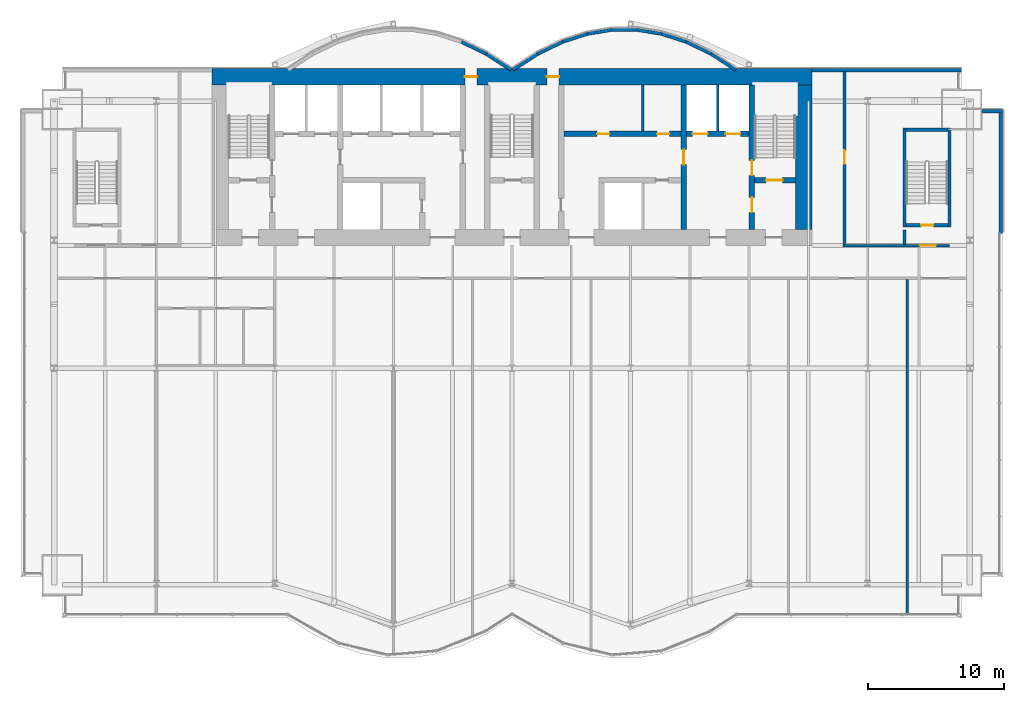
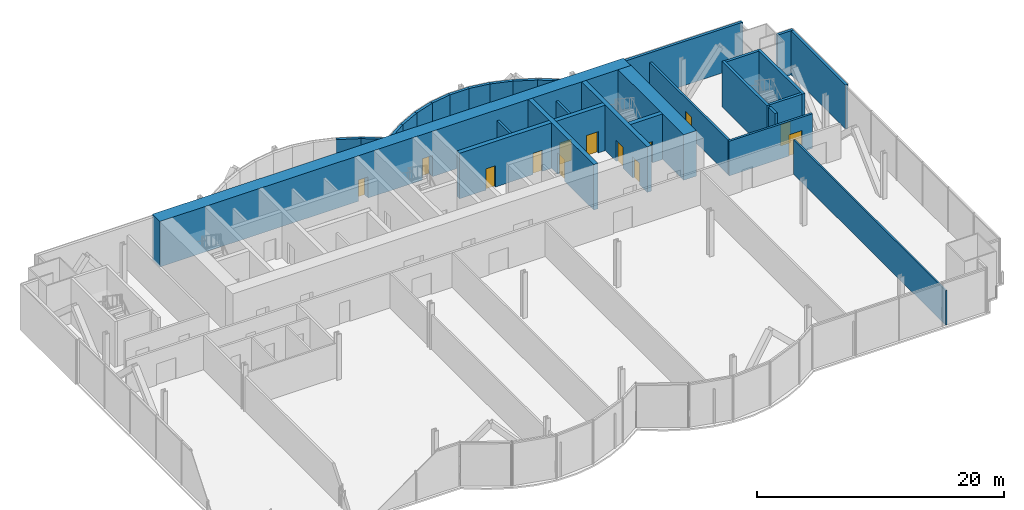
# One storey, part 17 of 21: 30 walls, 13 doors, 13 openings.
"""IFC4 building model written with IfcOpenShell, lengths in metres."""

from ifc_helpers import new_model, si_unit, direction, frame, frame_2d, origin, place, context, subcontext, project, spatial, rectangle, extrude, material, layer, layer_set, layer_usage, type_object, element, fill, save


model = new_model("IFC4")

# Units and contexts
model_context = context("Model", 3, precision=1e-05, world=origin(), true_north=direction((0.0, 1.0)))
body_context = subcontext(model_context, "Body", "Model", "MODEL_VIEW")
ifc_project = project(units=[si_unit("LENGTHUNIT", "METRE"), si_unit("AREAUNIT", "SQUARE_METRE"), si_unit("VOLUMEUNIT", "CUBIC_METRE"), si_unit("PLANEANGLEUNIT", "RADIAN"), si_unit("MASSUNIT", "GRAM", prefix="KILO")], contexts=[model_context])

# Site, building, storey
site_placement = place(None, origin())
site = spatial("IfcSite", under=ifc_project, at=site_placement, CompositionType="ELEMENT")
building_placement = place(site_placement, origin())
building = spatial("IfcBuilding", under=site, at=building_placement, Name="Bicima Exchange Tower", CompositionType="ELEMENT")
storey_placement = place(building_placement, frame((0.0, 0.0, 66.5)))
storey = spatial("IfcBuildingStorey", under=building, at=storey_placement, Name="L13", CompositionType="ELEMENT", Elevation=66.5)

# Wall
ifc_material_1 = material(Name="Gypsum board partition")
ifc_layer_1 = layer(ifc_material_1, 0.199951171875)
ifc_layer_set_1 = layer_set([ifc_layer_1], Name="Gypsum board partition")
wall_type_1 = type_object("IfcWallType", Name="Fire-rated gypsum partition 200 EI120", PredefinedType="PARTITIONING", material=ifc_layer_set_1)
wall_1_placement = place(storey_placement, frame((15.10009765625, -4.60009765625, 0.0), z_axis=(0.0, 0.0, 1.0), x_axis=(0.0, 1.0, 0.0)))
element("IfcWall", 1, at=wall_1_placement, inside=storey, type_object=wall_type_1, Name="partition wall 23", PredefinedType="PARTITIONING", context=body_context, shape_type="SweptSolid", body=[
    extrude(rectangle(XDim=3.400146484375, YDim=0.199951171875, at=frame_2d((1.7001953125, 0.0))), origin(), (0.0, 0.0, 1.0), 3.418212890625),
])

# Wall, opening, door
ifc_layer_2 = layer(ifc_material_1, 0.199951171875)
ifc_layer_set_2 = layer_set([ifc_layer_2], Name="Gypsum board partition")
wall_type_2 = type_object("IfcWallType", Name="Fire-rated gypsum partition 200 EI60", PredefinedType="PARTITIONING", material=ifc_layer_set_2)
wall_2_placement = place(storey_placement, frame((24.300048828125, -13.0, 0.0), z_axis=(0.0, 0.0, 1.0), x_axis=(1.0, 0.0, 0.0)))
wall_2 = element("IfcWall", 2, at=wall_2_placement, inside=storey, type_object=wall_type_2, Name="partition wall 5", PredefinedType="PARTITIONING", context=body_context, shape_type="SweptSolid", body=[
    extrude(rectangle(XDim=7.800048828125, YDim=0.199951171875, at=frame_2d((3.89990234375, 0.0))), origin(), (0.0, 0.0, 1.0), 3.418212890625),
])
opening_1_placement = place(wall_2_placement, frame((5.60009765625, 0.0, 0.0)))
opening_1 = element("IfcOpeningElement", 3, at=opening_1_placement, cuts=wall_2, Name="Opening L13-003", PredefinedType="OPENING", context=body_context, shape_type="SweptSolid", body=[
    extrude(rectangle(XDim=1.199951171875, YDim=2.10009765625, at=frame_2d((0.60009765625, 1.050048828125))), frame((0.0, 0.11181640625, 0.0), z_axis=(0.0, -1.0, 0.0), x_axis=(1.0, 0.0, 0.0)), (0.0, 0.0, 1.0), 0.223876953125),
])
ifc_material_2 = material(Name="Steel fire door leaf", Category="steel")
door_type_1 = type_object("IfcDoorType", Name="Door 1200 swing FD30S", OperationType="SINGLE_SWING_LEFT", PredefinedType="DOOR", material=ifc_material_2)
door_1_placement = place(opening_1_placement, origin())
door_1 = element("IfcDoor", 4, at=door_1_placement, inside=storey, type_object=door_type_1, Name="Door", OperationType="SINGLE_SWING_RIGHT", OverallHeight=2.10009765625, OverallWidth=1.199951171875, PredefinedType="DOOR", context=body_context, shape_type="SweptSolid", body=[
    extrude(rectangle(XDim=1.199951171875, YDim=2.10009765625, at=frame_2d((0.60009765625, 1.050048828125))), frame((0.0, 0.02490234375, 0.0), z_axis=(0.0, -1.0, 0.0), x_axis=(1.0, 0.0, 0.0)), (0.0, 0.0, 1.0), 0.050048828125),
])
fill(opening_1, door_1)

wall_3_placement = place(storey_placement, frame((24.39990234375, -12.89990234375, 0.0), z_axis=(0.0, 0.0, 1.0), x_axis=(0.0, 1.0, 0.0)))
wall_3 = element("IfcWall", 5, at=wall_3_placement, inside=storey, type_object=wall_type_2, Name="partition wall 24", PredefinedType="PARTITIONING", context=body_context, shape_type="SweptSolid", body=[
    extrude(rectangle(XDim=12.68994140625, YDim=0.199951171875, at=frame_2d((6.344970703125, 0.0))), origin(), (0.0, 0.0, 1.0), 3.418212890625),
])
opening_2_placement = place(wall_3_placement, frame((5.89990234375, 0.0, 0.0)))
opening_2 = element("IfcOpeningElement", 6, at=opening_2_placement, cuts=wall_3, Name="Opening L13-006", PredefinedType="OPENING", context=body_context, shape_type="SweptSolid", body=[
    extrude(rectangle(XDim=1.0, YDim=2.10009765625, at=frame_2d((0.5, 1.050048828125))), frame((0.0, 0.11181640625, 0.0), z_axis=(0.0, -1.0, 0.0), x_axis=(1.0, 0.0, 0.0)), (0.0, 0.0, 1.0), 0.223876953125),
])
door_type_2 = type_object("IfcDoorType", Name="Door 1000 swing FD30S", OperationType="SINGLE_SWING_LEFT", PredefinedType="DOOR", material=ifc_material_2)
door_2_placement = place(opening_2_placement, frame((1.0, 0.0, 0.0), z_axis=(0.0, 0.0, 1.0), x_axis=(-1.0, 0.0, 0.0)))
door_2 = element("IfcDoor", 7, at=door_2_placement, inside=storey, type_object=door_type_2, Name="Door", OperationType="SINGLE_SWING_RIGHT", OverallHeight=2.10009765625, OverallWidth=1.0, PredefinedType="DOOR", context=body_context, shape_type="SweptSolid", body=[
    extrude(rectangle(XDim=1.0, YDim=2.10009765625, at=frame_2d((0.5, 1.050048828125))), frame((0.0, 0.02490234375, 0.0), z_axis=(0.0, -1.0, 0.0), x_axis=(1.0, 0.0, 0.0)), (0.0, 0.0, 1.0), 0.050048828125),
])
fill(opening_2, door_2)

# Walls
wall_4_placement = place(storey_placement, frame((9.60009765625, -4.60009765625, 0.0), z_axis=(0.0, 0.0, 1.0), x_axis=(0.0, 1.0, 0.0)))
element("IfcWall", 8, at=wall_4_placement, inside=storey, type_object=wall_type_2, Name="partition wall 21", PredefinedType="PARTITIONING", context=body_context, shape_type="SweptSolid", body=[
    extrude(rectangle(XDim=3.400146484375, YDim=0.199951171875, at=frame_2d((1.7001953125, 0.0))), origin(), (0.0, 0.0, 1.0), 3.418212890625),
])
ifc_layer_3 = layer(ifc_material_1, 0.14990234375)
ifc_layer_set_3 = layer_set([ifc_layer_3], Name="Gypsum board partition")
wall_type_3 = type_object("IfcWallType", Name="Gypsum partition 150", PredefinedType="PARTITIONING", material=ifc_layer_set_3)
wall_5_placement = place(storey_placement, frame((29.0, -40.080078125, 0.0), z_axis=(0.0, 0.0, 1.0), x_axis=(0.0, 1.0, 0.0)))
element("IfcWall", 9, at=wall_5_placement, inside=storey, type_object=wall_type_3, Name="partition wall 26", PredefinedType="PARTITIONING", context=body_context, shape_type="SweptSolid", body=[
    extrude(rectangle(XDim=24.580078125, YDim=0.14990234375, at=frame_2d((12.2900390625, 0.0))), origin(), (0.0, 0.0, 1.0), 3.418212890625),
])

# Wall, openings, doors
ifc_material_3 = material(Name="Concrete C60/75", Category="concrete")
ifc_layer_4 = layer(ifc_material_3, 1.199951171875)
ifc_layer_set_4 = layer_set([ifc_layer_4], Name="Concrete C60/75")
wall_type_4 = type_object("IfcWallType", Name="RC core wall 1200 C60/75", PredefinedType="SHEAR", material=ifc_layer_set_4)
wall_6_placement = place(storey_placement, frame((-22.0, -0.60009765625, 0.0), z_axis=(0.0, 0.0, 1.0), x_axis=(1.0, 0.0, 0.0)))
wall_6 = element("IfcWall", 10, at=wall_6_placement, inside=storey, type_object=wall_type_4, Name="Core wall north", PredefinedType="SHEAR", context=body_context, shape_type="SweptSolid", body=[
    extrude(rectangle(XDim=44.0, YDim=1.199951171875, at=frame_2d((22.0, 0.0))), origin(), (0.0, 0.0, 1.0), 4.5),
])
opening_3_placement = place(wall_6_placement, frame((18.550048828125, 0.0, 0.0)))
opening_3 = element("IfcOpeningElement", 11, at=opening_3_placement, cuts=wall_6, Name="Opening L13-C16", PredefinedType="OPENING", context=body_context, shape_type="SweptSolid", body=[
    extrude(rectangle(XDim=0.89990234375, YDim=2.10009765625, at=frame_2d((0.449951171875, 1.050048828125))), frame((0.0, 0.61181640625, 0.0), z_axis=(0.0, -1.0, 0.0), x_axis=(1.0, 0.0, 0.0)), (0.0, 0.0, 1.0), 1.223876953125),
])
opening_4_placement = place(wall_6_placement, frame((24.550048828125, 0.0, 0.0)))
opening_4 = element("IfcOpeningElement", 12, at=opening_4_placement, cuts=wall_6, Name="Opening L13-C17", PredefinedType="OPENING", context=body_context, shape_type="SweptSolid", body=[
    extrude(rectangle(XDim=0.89990234375, YDim=2.10009765625, at=frame_2d((0.449951171875, 1.050048828125))), frame((0.0, 0.61181640625, 0.0), z_axis=(0.0, -1.0, 0.0), x_axis=(1.0, 0.0, 0.0)), (0.0, 0.0, 1.0), 1.223876953125),
])
door_type_3 = type_object("IfcDoorType", Name="Door 900 swing FD30S", OperationType="SINGLE_SWING_LEFT", PredefinedType="DOOR", material=ifc_material_2)
door_3_placement = place(opening_3_placement, origin())
door_3 = element("IfcDoor", 13, at=door_3_placement, inside=storey, type_object=door_type_3, Name="Core door", OperationType="SINGLE_SWING_LEFT", OverallHeight=2.10009765625, OverallWidth=0.89990234375, PredefinedType="DOOR", context=body_context, shape_type="SweptSolid", body=[
    extrude(rectangle(XDim=0.89990234375, YDim=2.10009765625, at=frame_2d((0.449951171875, 1.050048828125))), frame((0.0, 0.02490234375, 0.0), z_axis=(0.0, -1.0, 0.0), x_axis=(1.0, 0.0, 0.0)), (0.0, 0.0, 1.0), 0.050048828125),
])
fill(opening_3, door_3)
door_4_placement = place(opening_4_placement, origin())
door_4 = element("IfcDoor", 14, at=door_4_placement, inside=storey, type_object=door_type_3, Name="Core door", OperationType="SINGLE_SWING_LEFT", OverallHeight=2.10009765625, OverallWidth=0.89990234375, PredefinedType="DOOR", context=body_context, shape_type="SweptSolid", body=[
    extrude(rectangle(XDim=0.89990234375, YDim=2.10009765625, at=frame_2d((0.449951171875, 1.050048828125))), frame((0.0, 0.02490234375, 0.0), z_axis=(0.0, -1.0, 0.0), x_axis=(1.0, 0.0, 0.0)), (0.0, 0.0, 1.0), 0.050048828125),
])
fill(opening_4, door_4)

# Walls
wall_7_placement = place(storey_placement, frame((21.39990234375, -11.800048828125, 0.0), z_axis=(0.0, 0.0, 1.0), x_axis=(0.0, 1.0, 0.0)))
element("IfcWall", 15, at=wall_7_placement, inside=storey, type_object=wall_type_4, Name="Core wall east", PredefinedType="SHEAR", context=body_context, shape_type="SweptSolid", body=[
    extrude(rectangle(XDim=10.60009765625, YDim=1.199951171875, at=frame_2d((5.300048828125, 0.0))), origin(), (0.0, 0.0, 1.0), 4.5),
])
ifc_material_4 = material(Name="Concrete C50/60", Category="concrete")
ifc_layer_5 = layer(ifc_material_4, 0.25)
ifc_layer_set_5 = layer_set([ifc_layer_5], Name="Concrete C50/60")
wall_type_5 = type_object("IfcWallType", Name="RC core wall 250 C50/60", PredefinedType="SHEAR", material=ifc_layer_set_5)
wall_8_placement = place(storey_placement, frame((28.800048828125, -12.89990234375, 0.0), z_axis=(0.0, 0.0, 1.0), x_axis=(0.0, 1.0, 0.0)))
element("IfcWall", 16, at=wall_8_placement, inside=storey, type_object=wall_type_5, Name="stair wall 25", PredefinedType="SHEAR", context=body_context, shape_type="SweptSolid", body=[
    extrude(rectangle(XDim=1.0498046875, YDim=0.25, at=frame_2d((0.52490234375, 0.0))), origin(), (0.0, 0.0, 1.0), 4.5),
])

# Wall, opening, door
ifc_layer_6 = layer(ifc_material_4, 0.39990234375)
ifc_layer_set_6 = layer_set([ifc_layer_6], Name="Concrete C50/60")
wall_type_6 = type_object("IfcWallType", Name="RC core wall 400 C50/60", PredefinedType="SHEAR", material=ifc_layer_set_6)
wall_9_placement = place(storey_placement, frame((17.800048828125, -8.199951171875, 0.0), z_axis=(0.0, 0.0, 1.0), x_axis=(1.0, 0.0, 0.0)))
wall_9 = element("IfcWall", 17, at=wall_9_placement, inside=storey, type_object=wall_type_6, Name="stair wall 5", PredefinedType="SHEAR", context=body_context, shape_type="SweptSolid", body=[
    extrude(rectangle(XDim=3.0, YDim=0.39990234375, at=frame_2d((1.5, 0.0))), origin(), (0.0, 0.0, 1.0), 4.5),
])
opening_5_placement = place(wall_9_placement, frame((0.85009765625, 0.0, 0.0)))
opening_5 = element("IfcOpeningElement", 18, at=opening_5_placement, cuts=wall_9, Name="Opening L13-C04", PredefinedType="OPENING", context=body_context, shape_type="SweptSolid", body=[
    extrude(rectangle(XDim=1.199951171875, YDim=2.10009765625, at=frame_2d((0.60009765625, 1.050048828125))), frame((0.0, 0.2119140625, 0.0), z_axis=(0.0, -1.0, 0.0), x_axis=(1.0, 0.0, 0.0)), (0.0, 0.0, 1.0), 0.423828125),
])
door_type_4 = type_object("IfcDoorType", Name="Door 1200 swing FD60S", OperationType="SINGLE_SWING_LEFT", PredefinedType="DOOR", material=ifc_material_2)
door_5_placement = place(opening_5_placement, origin())
door_5 = element("IfcDoor", 19, at=door_5_placement, inside=storey, type_object=door_type_4, Name="Core door", OperationType="SINGLE_SWING_RIGHT", OverallHeight=2.10009765625, OverallWidth=1.199951171875, PredefinedType="DOOR", context=body_context, shape_type="SweptSolid", body=[
    extrude(rectangle(XDim=1.199951171875, YDim=2.10009765625, at=frame_2d((0.60009765625, 1.050048828125))), frame((0.0, 0.02490234375, 0.0), z_axis=(0.0, -1.0, 0.0), x_axis=(1.0, 0.0, 0.0)), (0.0, 0.0, 1.0), 0.050048828125),
])
fill(opening_5, door_5)

# Wall, openings, doors
wall_10_placement = place(storey_placement, frame((17.60009765625, -11.800048828125, 0.0), z_axis=(0.0, 0.0, 1.0), x_axis=(0.0, 1.0, 0.0)))
wall_10 = element("IfcWall", 20, at=wall_10_placement, inside=storey, type_object=wall_type_6, Name="stair wall 24", PredefinedType="SHEAR", context=body_context, shape_type="SweptSolid", body=[
    extrude(rectangle(XDim=10.60009765625, YDim=0.39990234375, at=frame_2d((5.300048828125, 0.0))), origin(), (0.0, 0.0, 1.0), 4.5),
])
opening_6_placement = place(wall_10_placement, frame((1.25, 0.0, 0.0)))
opening_6 = element("IfcOpeningElement", 21, at=opening_6_placement, cuts=wall_10, Name="Opening L13-C05", PredefinedType="OPENING", context=body_context, shape_type="SweptSolid", body=[
    extrude(rectangle(XDim=1.10009765625, YDim=2.10009765625, at=frame_2d((0.550048828125, 1.050048828125))), frame((0.0, 0.2119140625, 0.0), z_axis=(0.0, -1.0, 0.0), x_axis=(1.0, 0.0, 0.0)), (0.0, 0.0, 1.0), 0.423828125),
])
opening_7_placement = place(wall_10_placement, frame((3.949951171875, 0.0, 0.0)))
opening_7 = element("IfcOpeningElement", 22, at=opening_7_placement, cuts=wall_10, Name="Opening L13-C08", PredefinedType="OPENING", context=body_context, shape_type="SweptSolid", body=[
    extrude(rectangle(XDim=1.10009765625, YDim=2.10009765625, at=frame_2d((0.550048828125, 1.050048828125))), frame((0.0, 0.2119140625, 0.0), z_axis=(0.0, -1.0, 0.0), x_axis=(1.0, 0.0, 0.0)), (0.0, 0.0, 1.0), 0.423828125),
])
door_type_5 = type_object("IfcDoorType", Name="Door 1100 swing FD60S", OperationType="SINGLE_SWING_LEFT", PredefinedType="DOOR", material=ifc_material_2)
door_6_placement = place(opening_6_placement, origin())
door_6 = element("IfcDoor", 23, at=door_6_placement, inside=storey, type_object=door_type_5, Name="Core door", OperationType="SINGLE_SWING_LEFT", OverallHeight=2.10009765625, OverallWidth=1.10009765625, PredefinedType="DOOR", context=body_context, shape_type="SweptSolid", body=[
    extrude(rectangle(XDim=1.10009765625, YDim=2.10009765625, at=frame_2d((0.550048828125, 1.050048828125))), frame((0.0, 0.02490234375, 0.0), z_axis=(0.0, -1.0, 0.0), x_axis=(1.0, 0.0, 0.0)), (0.0, 0.0, 1.0), 0.050048828125),
])
fill(opening_6, door_6)
door_7_placement = place(opening_7_placement, origin())
door_7 = element("IfcDoor", 24, at=door_7_placement, inside=storey, type_object=door_type_5, Name="Core door", OperationType="SINGLE_SWING_RIGHT", OverallHeight=2.10009765625, OverallWidth=1.10009765625, PredefinedType="DOOR", context=body_context, shape_type="SweptSolid", body=[
    extrude(rectangle(XDim=1.10009765625, YDim=2.10009765625, at=frame_2d((0.550048828125, 1.050048828125))), frame((0.0, 0.02490234375, 0.0), z_axis=(0.0, -1.0, 0.0), x_axis=(1.0, 0.0, 0.0)), (0.0, 0.0, 1.0), 0.050048828125),
])
fill(opening_7, door_7)

ifc_layer_7 = layer(ifc_material_3, 0.39990234375)
ifc_layer_set_7 = layer_set([ifc_layer_7], Name="Concrete C60/75")
wall_type_7 = type_object("IfcWallType", Name="RC core wall 400 C60/75", PredefinedType="SHEAR", material=ifc_layer_set_7)
wall_11_placement = place(storey_placement, frame((3.800048828125, -4.800048828125, 0.0), z_axis=(0.0, 0.0, 1.0), x_axis=(1.0, 0.0, 0.0)))
wall_11 = element("IfcWall", 25, at=wall_11_placement, inside=storey, type_object=wall_type_7, Name="shear wall 7", PredefinedType="SHEAR", context=body_context, shape_type="SweptSolid", body=[
    extrude(rectangle(XDim=13.599853515625, YDim=0.39990234375, at=frame_2d((6.7998046875, 0.0))), origin(), (0.0, 0.0, 1.0), 4.5),
])
opening_8_placement = place(wall_11_placement, frame((9.449951171875, 0.0, 0.0)))
opening_8 = element("IfcOpeningElement", 26, at=opening_8_placement, cuts=wall_11, Name="Opening LD-FF2-L13", PredefinedType="OPENING", context=body_context, shape_type="SweptSolid", body=[
    extrude(rectangle(XDim=1.10009765625, YDim=2.10009765625, at=frame_2d((0.550048828125, 1.050048828125))), frame((0.0, 0.2119140625, 0.0), z_axis=(0.0, -1.0, 0.0), x_axis=(1.0, 0.0, 0.0)), (0.0, 0.0, 1.0), 0.423828125),
])
opening_9_placement = place(wall_11_placement, frame((11.85009765625, 0.0, 0.0)))
opening_9 = element("IfcOpeningElement", 27, at=opening_9_placement, cuts=wall_11, Name="Opening LD-SV1-L13", PredefinedType="OPENING", context=body_context, shape_type="SweptSolid", body=[
    extrude(rectangle(XDim=1.10009765625, YDim=2.10009765625, at=frame_2d((0.550048828125, 1.050048828125))), frame((0.0, 0.2119140625, 0.0), z_axis=(0.0, -1.0, 0.0), x_axis=(1.0, 0.0, 0.0)), (0.0, 0.0, 1.0), 0.423828125),
])
opening_10_placement = place(wall_11_placement, frame((2.449951171875, 0.0, 0.0)))
opening_10 = element("IfcOpeningElement", 28, at=opening_10_placement, cuts=wall_11, Name="Opening L13-C12", PredefinedType="OPENING", context=body_context, shape_type="SweptSolid", body=[
    extrude(rectangle(XDim=0.89990234375, YDim=2.10009765625, at=frame_2d((0.449951171875, 1.050048828125))), frame((0.0, 0.2119140625, 0.0), z_axis=(0.0, -1.0, 0.0), x_axis=(1.0, 0.0, 0.0)), (0.0, 0.0, 1.0), 0.423828125),
])
opening_11_placement = place(wall_11_placement, frame((6.85009765625, 0.0, 0.0)))
opening_11 = element("IfcOpeningElement", 29, at=opening_11_placement, cuts=wall_11, Name="Opening L13-C13", PredefinedType="OPENING", context=body_context, shape_type="SweptSolid", body=[
    extrude(rectangle(XDim=0.89990234375, YDim=2.10009765625, at=frame_2d((0.449951171875, 1.050048828125))), frame((0.0, 0.2119140625, 0.0), z_axis=(0.0, -1.0, 0.0), x_axis=(1.0, 0.0, 0.0)), (0.0, 0.0, 1.0), 0.423828125),
])
door_8_placement = place(opening_10_placement, origin())
door_8 = element("IfcDoor", 30, at=door_8_placement, inside=storey, type_object=door_type_3, Name="Core door", OperationType="SINGLE_SWING_RIGHT", OverallHeight=2.10009765625, OverallWidth=0.89990234375, PredefinedType="DOOR", context=body_context, shape_type="SweptSolid", body=[
    extrude(rectangle(XDim=0.89990234375, YDim=2.10009765625, at=frame_2d((0.449951171875, 1.050048828125))), frame((0.0, 0.02490234375, 0.0), z_axis=(0.0, -1.0, 0.0), x_axis=(1.0, 0.0, 0.0)), (0.0, 0.0, 1.0), 0.050048828125),
])
fill(opening_10, door_8)
door_9_placement = place(opening_11_placement, origin())
door_9 = element("IfcDoor", 31, at=door_9_placement, inside=storey, type_object=door_type_3, Name="Core door", OperationType="SINGLE_SWING_LEFT", OverallHeight=2.10009765625, OverallWidth=0.89990234375, PredefinedType="DOOR", context=body_context, shape_type="SweptSolid", body=[
    extrude(rectangle(XDim=0.89990234375, YDim=2.10009765625, at=frame_2d((0.449951171875, 1.050048828125))), frame((0.0, 0.02490234375, 0.0), z_axis=(0.0, -1.0, 0.0), x_axis=(1.0, 0.0, 0.0)), (0.0, 0.0, 1.0), 0.050048828125),
])
fill(opening_11, door_9)
ifc_material_5 = material(Name="Stainless steel", Category="steel")
door_type_6 = type_object("IfcDoorType", Name="Lift landing door 1100 sliding", OperationType="DOUBLE_DOOR_SLIDING", PredefinedType="DOOR", material=ifc_material_5)
door_10_placement = place(opening_8_placement, origin())
door_10 = element("IfcDoor", 32, at=door_10_placement, inside=storey, type_object=door_type_6, Name="Lift landing door FF2", OperationType="DOUBLE_DOOR_SLIDING", OverallHeight=2.10009765625, OverallWidth=1.10009765625, PredefinedType="DOOR", context=body_context, shape_type="SweptSolid", body=[
    extrude(rectangle(XDim=1.10009765625, YDim=2.10009765625, at=frame_2d((0.550048828125, 1.050048828125))), frame((0.0, 0.02490234375, 0.0), z_axis=(0.0, -1.0, 0.0), x_axis=(1.0, 0.0, 0.0)), (0.0, 0.0, 1.0), 0.050048828125),
])
fill(opening_8, door_10)
door_11_placement = place(opening_9_placement, origin())
door_11 = element("IfcDoor", 33, at=door_11_placement, inside=storey, type_object=door_type_6, Name="Lift landing door SV1", OperationType="DOUBLE_DOOR_SLIDING", OverallHeight=2.10009765625, OverallWidth=1.10009765625, PredefinedType="DOOR", context=body_context, shape_type="SweptSolid", body=[
    extrude(rectangle(XDim=1.10009765625, YDim=2.10009765625, at=frame_2d((0.550048828125, 1.050048828125))), frame((0.0, 0.02490234375, 0.0), z_axis=(0.0, -1.0, 0.0), x_axis=(1.0, 0.0, 0.0)), (0.0, 0.0, 1.0), 0.050048828125),
])
fill(opening_9, door_11)

# Wall, opening, door
wall_12_placement = place(storey_placement, frame((12.60009765625, -11.800048828125, 0.0), z_axis=(0.0, 0.0, 1.0), x_axis=(0.0, 1.0, 0.0)))
wall_12 = element("IfcWall", 34, at=wall_12_placement, inside=storey, type_object=wall_type_7, Name="shear wall 22", PredefinedType="SHEAR", context=body_context, shape_type="SweptSolid", body=[
    extrude(rectangle(XDim=10.60009765625, YDim=0.39990234375, at=frame_2d((5.300048828125, 0.0))), origin(), (0.0, 0.0, 1.0), 4.5),
])
opening_12_placement = place(wall_12_placement, frame((4.75, 0.0, 0.0)))
opening_12 = element("IfcOpeningElement", 35, at=opening_12_placement, cuts=wall_12, Name="Opening L13-C09", PredefinedType="OPENING", context=body_context, shape_type="SweptSolid", body=[
    extrude(rectangle(XDim=1.10009765625, YDim=2.10009765625, at=frame_2d((0.550048828125, 1.050048828125))), frame((0.0, 0.2119140625, 0.0), z_axis=(0.0, -1.0, 0.0), x_axis=(1.0, 0.0, 0.0)), (0.0, 0.0, 1.0), 0.423828125),
])
door_12_placement = place(opening_12_placement, frame((1.10009765625, 0.0, 0.0), z_axis=(0.0, 0.0, 1.0), x_axis=(-1.0, 0.0, 0.0)))
door_12 = element("IfcDoor", 36, at=door_12_placement, inside=storey, type_object=door_type_5, Name="Core door", OperationType="SINGLE_SWING_RIGHT", OverallHeight=2.10009765625, OverallWidth=1.10009765625, PredefinedType="DOOR", context=body_context, shape_type="SweptSolid", body=[
    extrude(rectangle(XDim=1.10009765625, YDim=2.10009765625, at=frame_2d((0.550048828125, 1.050048828125))), frame((0.0, 0.02490234375, 0.0), z_axis=(0.0, -1.0, 0.0), x_axis=(1.0, 0.0, 0.0)), (0.0, 0.0, 1.0), 0.050048828125),
])
fill(opening_12, door_12)

# Walls
ifc_layer_8 = layer(ifc_material_4, 0.25)
ifc_layer_set_8 = layer_set([ifc_layer_8], Name="Concrete C50/60")
wall_type_8 = type_object("IfcWallType", Name="RC stair enclosure wall 250 C50/60", PredefinedType="SHEAR", material=ifc_layer_set_8)
for number, where, z_axis, x_axis, name in (
    (37, (28.800048828125, -11.625, 0.0), (0.0, 0.0, 1.0), (0.0, 1.0, 0.0), "East end exit stair wall W"),
    (38, (32.10009765625, -11.625, 0.0), (0.0, 0.0, 1.0), (0.0, 1.0, 0.0), "East end exit stair wall E"),
):
    element("IfcWall", number, at=place(storey_placement, frame(where, z_axis=z_axis, x_axis=x_axis)), inside=storey, type_object=wall_type_8, Name=name, PredefinedType="SHEAR", context=body_context, shape_type="SweptSolid", body=[
        extrude(rectangle(XDim=7.25, YDim=0.25, at=frame_2d((3.625, 0.0))), origin(), (0.0, 0.0, 1.0), 4.5),
    ])

# Wall, opening, door
wall_13_placement = place(storey_placement, frame((28.925048828125, -11.5, 0.0), z_axis=(0.0, 0.0, 1.0), x_axis=(1.0, 0.0, 0.0)))
wall_13 = element("IfcWall", 39, at=wall_13_placement, inside=storey, type_object=wall_type_8, Name="East end exit stair wall S", PredefinedType="SHEAR", context=body_context, shape_type="SweptSolid", body=[
    extrude(rectangle(XDim=3.050048828125, YDim=0.25, at=frame_2d((1.52490234375, 0.0))), origin(), (0.0, 0.0, 1.0), 4.5),
])
opening_13_placement = place(wall_13_placement, frame((1.10009765625, 0.0, 0.0)))
opening_13 = element("IfcOpeningElement", 40, at=opening_13_placement, cuts=wall_13, Name="Opening L13-004", PredefinedType="OPENING", context=body_context, shape_type="SweptSolid", body=[
    extrude(rectangle(XDim=0.89990234375, YDim=2.10009765625, at=frame_2d((0.449951171875, 1.050048828125))), frame((0.0, 0.136962890625, 0.0), z_axis=(0.0, -1.0, 0.0), x_axis=(1.0, 0.0, 0.0)), (0.0, 0.0, 1.0), 0.27392578125),
])
door_type_7 = type_object("IfcDoorType", Name="Door 900 swing FD60S", OperationType="SINGLE_SWING_LEFT", PredefinedType="DOOR", material=ifc_material_2)
door_13_placement = place(opening_13_placement, origin())
door_13 = element("IfcDoor", 41, at=door_13_placement, inside=storey, type_object=door_type_7, Name="Door", OperationType="SINGLE_SWING_LEFT", OverallHeight=2.10009765625, OverallWidth=0.89990234375, PredefinedType="DOOR", context=body_context, shape_type="SweptSolid", body=[
    extrude(rectangle(XDim=0.89990234375, YDim=2.10009765625, at=frame_2d((0.449951171875, 1.050048828125))), frame((0.0, 0.02490234375, 0.0), z_axis=(0.0, -1.0, 0.0), x_axis=(1.0, 0.0, 0.0)), (0.0, 0.0, 1.0), 0.050048828125),
])
fill(opening_13, door_13)

# Walls
wall_14_placement = place(storey_placement, frame((28.925048828125, -4.5, 0.0), z_axis=(0.0, 0.0, 1.0), x_axis=(1.0, 0.0, 0.0)))
element("IfcWall", 42, at=wall_14_placement, inside=storey, type_object=wall_type_8, Name="East end exit stair wall N", PredefinedType="SHEAR", context=body_context, shape_type="SweptSolid", body=[
    extrude(rectangle(XDim=3.050048828125, YDim=0.25, at=frame_2d((1.52490234375, 0.0))), origin(), (0.0, 0.0, 1.0), 4.5),
])
ifc_material_6 = material(Name="Concrete C40/50", Category="concrete")
ifc_layer_9 = layer(ifc_material_6, 0.25)
ifc_layer_set_9 = layer_set([ifc_layer_9], Name="Concrete C40/50")
ifc_layer_usage = layer_usage(ifc_layer_set_9, "AXIS2", "POSITIVE", -0.125)
wall_type_9 = type_object("IfcWallType", Name="Rear backup wall 250", PredefinedType="STANDARD", material=ifc_layer_set_9)
wall_15_placement = place(storey_placement, frame((33.0, -0.125, 0.0), z_axis=(0.0, 0.0, 1.0), x_axis=(-1.0, 0.0, 0.0)))
element("IfcWall", 43, at=wall_15_placement, inside=storey, type_object=wall_type_9, material=ifc_layer_usage, Name="Rear backup wall L13 1", PredefinedType="STANDARD", context=body_context, shape_type="SweptSolid", body=[
    extrude(rectangle(XDim=11.0, YDim=0.25, at=frame_2d((5.5, 0.0))), origin(), (0.0, 0.0, 1.0), 4.35009765625),
])
wall_16_placement = place(storey_placement, frame((16.43212890625, -0.10498046875, 0.0), z_axis=(0.0, 0.0, 1.0), x_axis=(-0.83981312244, 0.542875602121, 0.0)))
element("IfcWall", 44, at=wall_16_placement, inside=storey, type_object=wall_type_9, material=ifc_layer_usage, Name="Rear backup wall L13 2", PredefinedType="STANDARD", context=body_context, shape_type="SweptSolid", body=[
    extrude(rectangle(XDim=2.182861328125, YDim=0.25, at=frame_2d((1.09130859375, 0.0))), origin(), (0.0, 0.0, 1.0), 4.35009765625),
])
wall_17_placement = place(storey_placement, frame((14.6123046875, 1.07275390625, 0.0), z_axis=(0.0, 0.0, 1.0), x_axis=(-0.89982408427, 0.436252928206, 0.0)))
element("IfcWall", 45, at=wall_17_placement, inside=storey, type_object=wall_type_9, material=ifc_layer_usage, Name="Rear backup wall L13 3", PredefinedType="STANDARD", context=body_context, shape_type="SweptSolid", body=[
    extrude(rectangle(XDim=2.03759765625, YDim=0.25, at=frame_2d((1.018798828125, 0.0))), origin(), (0.0, 0.0, 1.0), 4.35009765625),
])
wall_18_placement = place(storey_placement, frame((12.794921875, 1.955078125, 0.0), z_axis=(0.0, 0.0, 1.0), x_axis=(-0.951495806175, 0.307661714928, 0.0)))
element("IfcWall", 46, at=wall_18_placement, inside=storey, type_object=wall_type_9, material=ifc_layer_usage, Name="Rear backup wall L13 4", PredefinedType="STANDARD", context=body_context, shape_type="SweptSolid", body=[
    extrude(rectangle(XDim=1.9267578125, YDim=0.25, at=frame_2d((0.96337890625, 0.0))), origin(), (0.0, 0.0, 1.0), 4.35009765625),
])
wall_19_placement = place(storey_placement, frame((10.97998046875, 2.543212890625, 0.0), z_axis=(0.0, 0.0, 1.0), x_axis=(-0.987181718931, 0.159600293885, 0.0)))
element("IfcWall", 47, at=wall_19_placement, inside=storey, type_object=wall_type_9, material=ifc_layer_usage, Name="Rear backup wall L13 5", PredefinedType="STANDARD", context=body_context, shape_type="SweptSolid", body=[
    extrude(rectangle(XDim=1.857177734375, YDim=0.25, at=frame_2d((0.9287109375, 0.0))), origin(), (0.0, 0.0, 1.0), 4.35009765625),
])
wall_20_placement = place(storey_placement, frame((9.166748046875, 2.837890625, 0.0), z_axis=(0.0, 0.0, 1.0), x_axis=(-1.0, 0.0, 0.0)))
element("IfcWall", 48, at=wall_20_placement, inside=storey, type_object=wall_type_9, material=ifc_layer_usage, Name="Rear backup wall L13 6", PredefinedType="STANDARD", context=body_context, shape_type="SweptSolid", body=[
    extrude(rectangle(XDim=1.83349609375, YDim=0.25, at=frame_2d((0.916748046875, 0.0))), origin(), (0.0, 0.0, 1.0), 4.35009765625),
])
wall_21_placement = place(storey_placement, frame((7.353271484375, 2.839599609375, 0.0), z_axis=(0.0, 0.0, 1.0), x_axis=(-0.987181718931, -0.159600293885, 0.0)))
element("IfcWall", 49, at=wall_21_placement, inside=storey, type_object=wall_type_9, material=ifc_layer_usage, Name="Rear backup wall L13 7", PredefinedType="STANDARD", context=body_context, shape_type="SweptSolid", body=[
    extrude(rectangle(XDim=1.857177734375, YDim=0.25, at=frame_2d((0.9287109375, 0.0))), origin(), (0.0, 0.0, 1.0), 4.35009765625),
])
wall_22_placement = place(storey_placement, frame((5.538330078125, 2.5478515625, 0.0), z_axis=(0.0, 0.0, 1.0), x_axis=(-0.951495806175, -0.307661714928, 0.0)))
element("IfcWall", 50, at=wall_22_placement, inside=storey, type_object=wall_type_9, material=ifc_layer_usage, Name="Rear backup wall L13 8", PredefinedType="STANDARD", context=body_context, shape_type="SweptSolid", body=[
    extrude(rectangle(XDim=1.9267578125, YDim=0.25, at=frame_2d((0.96337890625, 0.0))), origin(), (0.0, 0.0, 1.0), 4.35009765625),
])
wall_23_placement = place(storey_placement, frame((3.72119140625, 1.961669921875, 0.0), z_axis=(0.0, 0.0, 1.0), x_axis=(-0.89982408427, -0.436252928206, 0.0)))
element("IfcWall", 51, at=wall_23_placement, inside=storey, type_object=wall_type_9, material=ifc_layer_usage, Name="Rear backup wall L13 9", PredefinedType="STANDARD", context=body_context, shape_type="SweptSolid", body=[
    extrude(rectangle(XDim=2.03759765625, YDim=0.25, at=frame_2d((1.018798828125, 0.0))), origin(), (0.0, 0.0, 1.0), 4.35009765625),
])
for number, where, z_axis, x_axis, name in (
    (52, (1.901123046875, 1.080078125, 0.0), (0.0, 0.0, 1.0), (-0.83981312244, -0.542875602121, 0.0), "Rear backup wall L13 10"),
    (53, (-0.06787109375, -0.10498046875, 0.0), (0.0, 0.0, 1.0), (-0.83981312244, 0.542875602121, 0.0), "Rear backup wall L13 11"),
):
    element("IfcWall", number, at=place(storey_placement, frame(where, z_axis=z_axis, x_axis=x_axis)), inside=storey, type_object=wall_type_9, material=ifc_layer_usage, Name=name, PredefinedType="STANDARD", context=body_context, shape_type="SweptSolid", body=[
        extrude(rectangle(XDim=2.182861328125, YDim=0.25, at=frame_2d((1.09130859375, 0.0))), origin(), (0.0, 0.0, 1.0), 4.35009765625),
    ])
wall_24_placement = place(storey_placement, frame((-1.8876953125, 1.07275390625, 0.0), z_axis=(0.0, 0.0, 1.0), x_axis=(-0.89982408427, 0.436252928206, 0.0)))
element("IfcWall", 54, at=wall_24_placement, inside=storey, type_object=wall_type_9, material=ifc_layer_usage, Name="Rear backup wall L13 12", PredefinedType="STANDARD", context=body_context, shape_type="SweptSolid", body=[
    extrude(rectangle(XDim=2.03759765625, YDim=0.25, at=frame_2d((1.018798828125, 0.0))), origin(), (0.0, 0.0, 1.0), 4.35009765625),
])
wall_25_placement = place(storey_placement, frame((35.875, -12.090087890625, 0.0), z_axis=(0.0, 0.0, 1.0), x_axis=(0.0, 1.0, 0.0)))
element("IfcWall", 55, at=wall_25_placement, inside=storey, type_object=wall_type_9, material=ifc_layer_usage, Name="Rear backup wall L13 50", PredefinedType="STANDARD", context=body_context, shape_type="SweptSolid", body=[
    extrude(rectangle(XDim=9.090087890625, YDim=0.25, at=frame_2d((4.544921875, 0.0))), origin(), (0.0, 0.0, 1.0), 4.35009765625),
])
wall_26_placement = place(storey_placement, frame((36.0, -3.125, 0.0), z_axis=(0.0, 0.0, 1.0), x_axis=(-1.0, 0.0, 0.0)))
element("IfcWall", 56, at=wall_26_placement, inside=storey, type_object=wall_type_9, material=ifc_layer_usage, Name="Rear backup wall L13 51", PredefinedType="STANDARD", context=body_context, shape_type="SweptSolid", body=[
    extrude(rectangle(XDim=1.5, YDim=0.25, at=frame_2d((0.75, 0.0))), origin(), (0.0, 0.0, 1.0), 4.35009765625),
])

save(model, "model.ifc")
